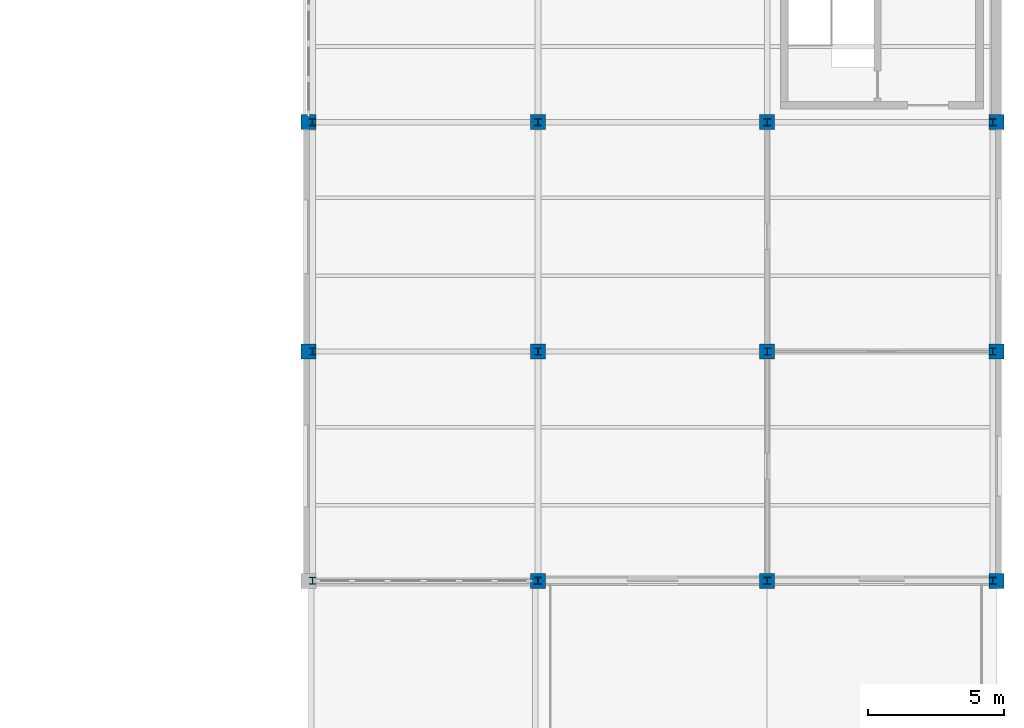
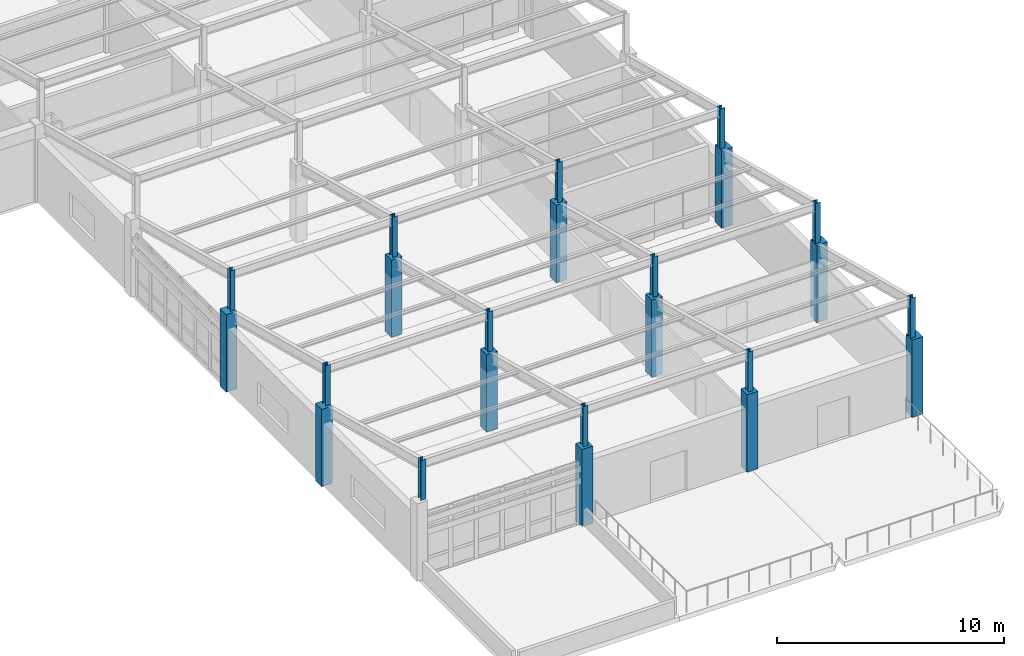
# One storey, part 6 of 74: 23 columns.
"""IFC4 building model written with IfcOpenShell, lengths in metres."""

from ifc_helpers import new_model, si_unit, direction, frame, origin, origin_2d, place, context, subcontext, project, spatial, rectangle, i_section, extrude, material, material_profile, profile_set, type_object, element, save


model = new_model("IFC4")

# Units and contexts
model_context = context("Model", 3, precision=1e-05, world=origin(), true_north=direction((0.0, 1.0)))
body_context = subcontext(model_context, "Body", "Model", "MODEL_VIEW")
ifc_project = project(units=[si_unit("LENGTHUNIT", "METRE"), si_unit("AREAUNIT", "SQUARE_METRE"), si_unit("VOLUMEUNIT", "CUBIC_METRE"), si_unit("PLANEANGLEUNIT", "RADIAN"), si_unit("MASSUNIT", "GRAM", prefix="KILO")], contexts=[model_context])

# Site, building, storey
site_placement = place(None, origin())
site = spatial("IfcSite", under=ifc_project, at=site_placement, CompositionType="ELEMENT")
building_placement = place(site_placement, origin())
building = spatial("IfcBuilding", under=site, at=building_placement, Name="Porcellanite Civic Hall", CompositionType="ELEMENT")
storey_placement = place(building_placement, frame((0.0, 0.0, 14.760009765625)))
storey = spatial("IfcBuildingStorey", under=building, at=storey_placement, Name="L03", CompositionType="ELEMENT", Elevation=14.760009765625)

# Columns
ifc_material_1 = material(Name="Concrete N50 (50 MPa)", Category="concrete")
ifc_material_profile_1 = material_profile(ifc_material_1, rectangle(XDim=0.550048828125, YDim=0.550048828125, at=origin_2d()), Name="RC-550x550")
ifc_profile_set_1 = profile_set([ifc_material_profile_1], Name="Concrete N50 (50 MPa)")
column_type_1 = type_object("IfcColumnType", Name="COL-550", PredefinedType="COLUMN", material=ifc_profile_set_1)
for number, where, z_axis, x_axis, name in (
    (1, (142.800048828125, 25.199951171875, 0.0), (0.0, 0.0, 1.0), (1.0, 0.0, 0.0), "Column L03 17-3"),
    (2, (142.800048828125, 33.60009765625, 0.0), (0.0, 0.0, 1.0), (1.0, 0.0, 0.0), "Column L03 17-4"),
    (3, (151.199951171875, 16.800048828125, 0.0), (0.0, 0.0, 1.0), (1.0, 0.0, 0.0), "Column L03 18-2"),
    (4, (151.199951171875, 25.199951171875, 0.0), (0.0, 0.0, 1.0), (1.0, 0.0, 0.0), "Column L03 18-3"),
    (5, (151.199951171875, 33.60009765625, 0.0), (0.0, 0.0, 1.0), (1.0, 0.0, 0.0), "Column L03 18-4"),
    (6, (159.60009765625, 16.800048828125, 0.0), (0.0, 0.0, 1.0), (1.0, 0.0, 0.0), "Column L03 19-2"),
    (7, (159.60009765625, 25.199951171875, 0.0), (0.0, 0.0, 1.0), (1.0, 0.0, 0.0), "Column L03 19-3"),
    (8, (159.60009765625, 33.60009765625, 0.0), (0.0, 0.0, 1.0), (1.0, 0.0, 0.0), "Column L03 19-4"),
    (9, (168.0, 16.800048828125, 0.0), (0.0, 0.0, 1.0), (1.0, 0.0, 0.0), "Column L03 20-2"),
    (10, (168.0, 25.199951171875, 0.0), (0.0, 0.0, 1.0), (1.0, 0.0, 0.0), "Column L03 20-3"),
    (11, (168.0, 33.60009765625, 0.0), (0.0, 0.0, 1.0), (1.0, 0.0, 0.0), "Column L03 20-4"),
):
    element("IfcColumn", number, at=place(storey_placement, frame(where, z_axis=z_axis, x_axis=x_axis)), inside=storey, type_object=column_type_1, Name=name, PredefinedType="COLUMN", context=body_context, shape_type="SweptSolid", body=[
        extrude(rectangle(XDim=0.550048828125, YDim=0.550048828125, at=origin_2d()), origin(), (0.0, 0.0, 1.0), 4.169921875),
    ])
ifc_material_2 = material(Name="Steel Grade 350", Category="steel")
ifc_material_profile_2 = material_profile(ifc_material_2, i_section(OverallWidth=0.25390625, OverallDepth=0.25390625, WebThickness=0.008544921875, FlangeThickness=0.01416015625, FilletRadius=0.0126953125, at=origin_2d()), Name="250UC72.9")
ifc_profile_set_2 = profile_set([ifc_material_profile_2], Name="Steel Grade 350")
column_type_2 = type_object("IfcColumnType", Name="SCOL-250UC73", PredefinedType="COLUMN", material=ifc_profile_set_2)
for number, where, z_axis, x_axis, name in (
    (12, (142.93994140625, 16.800048828125, 4.169921875), (0.0, 0.0, 1.0), (1.0, 0.0, 0.0), "Library sawtooth post 17-2"),
    (13, (151.199951171875, 16.800048828125, 4.169921875), (0.0, 0.0, 1.0), (1.0, 0.0, 0.0), "Library sawtooth post 18-2"),
    (14, (159.60009765625, 16.800048828125, 4.169921875), (0.0, 0.0, 1.0), (1.0, 0.0, 0.0), "Library sawtooth post 19-2"),
    (15, (167.860107421875, 16.800048828125, 4.169921875), (0.0, 0.0, 1.0), (1.0, 0.0, 0.0), "Library sawtooth post 20-2"),
    (16, (142.93994140625, 25.199951171875, 4.169921875), (0.0, 0.0, 1.0), (1.0, 0.0, 0.0), "Library sawtooth post 17-3"),
    (17, (151.199951171875, 25.199951171875, 4.169921875), (0.0, 0.0, 1.0), (1.0, 0.0, 0.0), "Library sawtooth post 18-3"),
    (18, (159.60009765625, 25.199951171875, 4.169921875), (0.0, 0.0, 1.0), (1.0, 0.0, 0.0), "Library sawtooth post 19-3"),
    (19, (167.860107421875, 25.199951171875, 4.169921875), (0.0, 0.0, 1.0), (1.0, 0.0, 0.0), "Library sawtooth post 20-3"),
    (20, (142.93994140625, 33.60009765625, 4.169921875), (0.0, 0.0, 1.0), (1.0, 0.0, 0.0), "Library sawtooth post 17-4"),
    (21, (151.199951171875, 33.60009765625, 4.169921875), (0.0, 0.0, 1.0), (1.0, 0.0, 0.0), "Library sawtooth post 18-4"),
    (22, (159.60009765625, 33.60009765625, 4.169921875), (0.0, 0.0, 1.0), (1.0, 0.0, 0.0), "Library sawtooth post 19-4"),
    (23, (167.860107421875, 33.60009765625, 4.169921875), (0.0, 0.0, 1.0), (1.0, 0.0, 0.0), "Library sawtooth post 20-4"),
):
    element("IfcColumn", number, at=place(storey_placement, frame(where, z_axis=z_axis, x_axis=x_axis)), inside=storey, type_object=column_type_2, Name=name, PredefinedType="COLUMN", context=body_context, shape_type="SweptSolid", body=[
        extrude(i_section(OverallWidth=0.25390625, OverallDepth=0.25390625, WebThickness=0.008544921875, FlangeThickness=0.01416015625, FilletRadius=0.0126953125, at=origin_2d()), origin(), (0.0, 0.0, 1.0), 2.157470703125),
    ])

save(model, "model.ifc")
